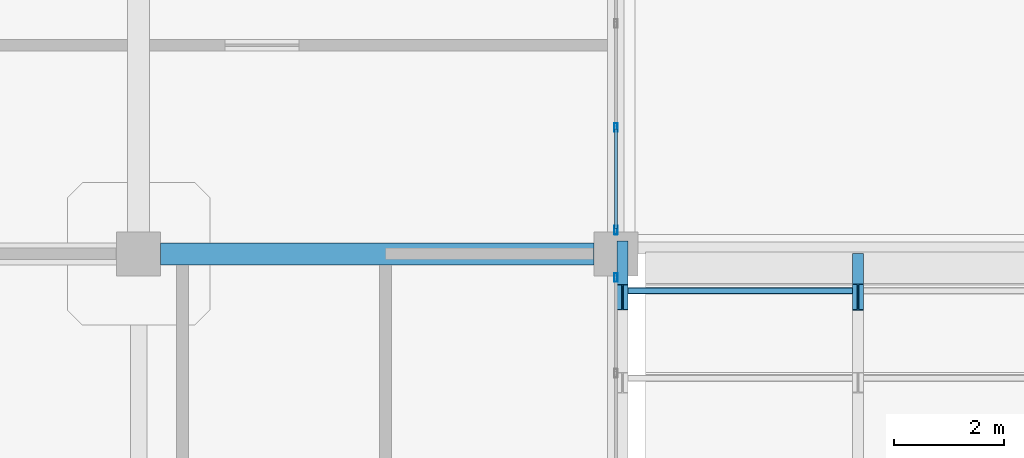
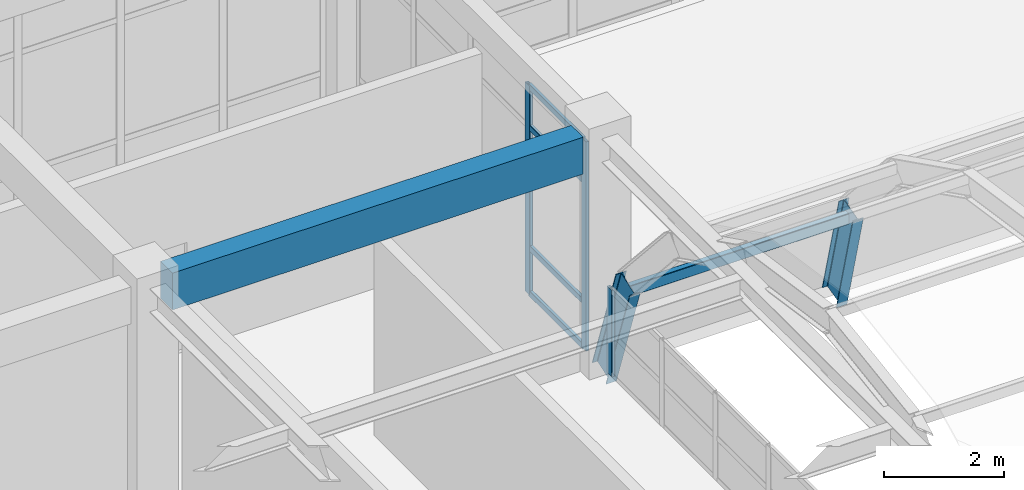
# One storey, part 55 of 124: 8 members, 3 beams, 2 elements without a shape of their own.
"""IFC4 building model written with IfcOpenShell, lengths in metres."""

from ifc_helpers import new_model, si_unit, derived_unit, direction, frame, origin, origin_2d, place, context, subcontext, project, spatial, rectangle, hollow_rectangle, i_section, extrude, material, layer, layer_set, material_profile, profile_set, type_object, element, aggregate, save


model = new_model("IFC4")

# Units and contexts
model_context = context("Model", 3, precision=1e-05, world=origin(), true_north=direction((0.0, 1.0)))
body_context = subcontext(model_context, "Body", "Model", "MODEL_VIEW")
ifc_project = project(units=[si_unit("LENGTHUNIT", "METRE"), si_unit("AREAUNIT", "SQUARE_METRE"), si_unit("VOLUMEUNIT", "CUBIC_METRE"), si_unit("PLANEANGLEUNIT", "RADIAN"), si_unit("MASSUNIT", "GRAM", prefix="KILO"), derived_unit("THERMALTRANSMITTANCEUNIT", [(si_unit("MASSUNIT", "GRAM", prefix="KILO"), 1), (si_unit("TIMEUNIT", "SECOND"), -3), (si_unit("THERMODYNAMICTEMPERATUREUNIT", "KELVIN"), -1)])], contexts=[model_context])

# Site, building, storey
site_placement = place(None, origin())
site = spatial("IfcSite", under=ifc_project, at=site_placement, CompositionType="ELEMENT")
building_placement = place(site_placement, origin())
building = spatial("IfcBuilding", under=site, at=building_placement, Name="Qinzheling Arcade Emporium", CompositionType="ELEMENT")
storey_placement = place(building_placement, frame((0.0, 0.0, 16.5)))
storey = spatial("IfcBuildingStorey", under=building, at=storey_placement, Name="L04", CompositionType="ELEMENT", Elevation=16.5)

# Beams
ifc_material_1 = material(Name="Weathering steel Q355NH", Category="steel")
ifc_material_profile_1 = material_profile(ifc_material_1, i_section(OverallWidth=0.199951171875, OverallDepth=0.5, WebThickness=0.010009765625, FlangeThickness=0.01611328125, FilletRadius=0.01806640625, at=origin_2d()), Name="HN 500x200x10x16", Category="steel")
ifc_profile_set_1 = profile_set([ifc_material_profile_1], Name="Weathering steel Q355NH")
beam_type_1 = type_object("IfcBeamType", Name="Arcade End Arch Rib HN500 Q355NH", PredefinedType="BEAM", material=ifc_profile_set_1)
beam_1_placement = place(storey_placement, frame((104.52001953125, 64.60888671875, 2.02392578125), z_axis=(0.0, 0.328552089369, -0.94448585197), x_axis=(-1.0, 0.0, 0.0)))
element("IfcBeam", 1, at=beam_1_placement, inside=storey, type_object=beam_type_1, Name="Arcade Arch Rib VLT-ARCADE-RIB-01-S08", PredefinedType="BEAM", context=body_context, shape_type="SweptSolid", body=[
    extrude(i_section(OverallWidth=0.199951171875, OverallDepth=0.5, WebThickness=0.010009765625, FlangeThickness=0.01611328125, FilletRadius=0.01806640625, at=origin_2d()), origin(), (0.0, 0.0, 1.0), 2.407470703125),
])
beam_2_placement = place(storey_placement, frame((108.81005859375, 64.611083984375, 2.02490234375), z_axis=(0.0, 0.254114916453, -0.967174032549), x_axis=(-1.0, 0.0, 0.0)))
element("IfcBeam", 2, at=beam_2_placement, inside=storey, type_object=beam_type_1, Name="Arcade Sub-Rib VLT-ARCADE-SRIB-B01-S08", PredefinedType="BEAM", context=body_context, shape_type="SweptSolid", body=[
    extrude(i_section(OverallWidth=0.199951171875, OverallDepth=0.5, WebThickness=0.010009765625, FlangeThickness=0.01611328125, FilletRadius=0.01806640625, at=origin_2d()), origin(), (0.0, 0.0, 1.0), 2.15966796875),
])

# Member
ifc_material_profile_2 = material_profile(ifc_material_1, hollow_rectangle(XDim=0.1201171875, YDim=0.219970703125, WallThickness=0.008056640625, InnerFilletRadius=0.008056640625, OuterFilletRadius=0.01611328125, at=origin_2d()), Name="RHS 220x120x8", Category="steel")
ifc_profile_set_2 = profile_set([ifc_material_profile_2], Name="Weathering steel Q355NH")
member_type_1 = type_object("IfcMemberType", Name="Arcade Skylight Purlin RHS220 Q355NH", PredefinedType="PURLIN", material=ifc_profile_set_2)
member_1_placement = place(storey_placement, frame((104.52001953125, 64.72607421875, 1.7958984375), z_axis=(1.0, 0.0, 0.0), x_axis=(0.0, 1.0, 0.0)))
element("IfcMember", 3, at=member_1_placement, inside=storey, type_object=member_type_1, Name="Arcade Skylight Purlin VLT-ARCADE-PUR-B01-N07-1", PredefinedType="PURLIN", context=body_context, shape_type="SweptSolid", body=[
    extrude(hollow_rectangle(XDim=0.1201171875, YDim=0.219970703125, WallThickness=0.008056640625, InnerFilletRadius=0.008056640625, OuterFilletRadius=0.01611328125, at=origin_2d()), origin(), (0.0, 0.0, 1.0), 4.2900390625),
])

# Curtain wall, members
ifc_material_2 = material(Name="Anodised aluminium and solar-control double glazing", Category="aluminium")
ifc_layer = layer(ifc_material_2, 0.159912109375, Name="Anodised aluminium and solar-control double glazing", Category="aluminium")
ifc_layer_set = layer_set([ifc_layer], Name="Anodised aluminium and solar-control double glazing")
curtain_wall_type = type_object("IfcCurtainWallType", Name="Atrium Clerestory Curtain Wall", PredefinedType="NOTDEFINED", material=ifc_layer_set)
curtain_wall_1_placement = place(storey_placement, origin())
curtain_wall_1 = element("IfcCurtainWall", 4, at=curtain_wall_1_placement, inside=storey, type_object=curtain_wall_type, Name="Curtain Wall CW-L04-250", PredefinedType="NOTDEFINED")
ifc_material_3 = material(Name="Anodised aluminium 6063-T6", Category="aluminium")
ifc_material_profile_3 = material_profile(ifc_material_3, hollow_rectangle(XDim=0.06005859375, YDim=0.159912109375, WallThickness=0.00390625, InnerFilletRadius=0.00390625, OuterFilletRadius=0.008056640625, at=origin_2d()), Name="RHS 160x60x4", Category="aluminium")
ifc_profile_set_3 = profile_set([ifc_material_profile_3], Name="Anodised aluminium 6063-T6")
member_type_2 = type_object("IfcMemberType", Name="Curtain Wall Mullion RHS160x60", PredefinedType="MULLION", material=ifc_profile_set_3)
member_2_placement = place(storey_placement, frame((104.39990234375, 67.700927734375, 0.0), z_axis=(0.0, 0.0, 1.0), x_axis=(1.0, 0.0, 0.0)))
member_2 = element("IfcMember", 5, at=member_2_placement, type_object=member_type_2, Name="CW03 mullion 4", PredefinedType="MULLION", context=body_context, shape_type="SweptSolid", body=[
    extrude(hollow_rectangle(XDim=0.06005859375, YDim=0.159912109375, WallThickness=0.00390625, InnerFilletRadius=0.00390625, OuterFilletRadius=0.008056640625, at=origin_2d()), origin(), (0.0, 0.0, 1.0), 4.2548828125),
])
member_3_placement = place(storey_placement, frame((104.39990234375, 65.83203125, 0.0), z_axis=(0.0, 0.0, 1.0), x_axis=(1.0, 0.0, 0.0)))
member_3 = element("IfcMember", 6, at=member_3_placement, type_object=member_type_2, Name="CW03 mullion 5", PredefinedType="MULLION", context=body_context, shape_type="SweptSolid", body=[
    extrude(hollow_rectangle(XDim=0.06005859375, YDim=0.159912109375, WallThickness=0.00390625, InnerFilletRadius=0.00390625, OuterFilletRadius=0.008056640625, at=origin_2d()), origin(), (0.0, 0.0, 1.0), 4.2548828125),
])

# Curtain wall, member
curtain_wall_2_placement = place(storey_placement, origin())
curtain_wall_2 = element("IfcCurtainWall", 7, at=curtain_wall_2_placement, inside=storey, type_object=curtain_wall_type, Name="Curtain Wall CW-L04-251", PredefinedType="NOTDEFINED")
member_4_placement = place(storey_placement, frame((104.39990234375, 64.968017578125, 0.0), z_axis=(0.0, 0.0, 1.0), x_axis=(1.0, 0.0, 0.0)))
member_4 = element("IfcMember", 8, at=member_4_placement, type_object=member_type_2, Name="CW03 mullion 1", PredefinedType="MULLION", context=body_context, shape_type="SweptSolid", body=[
    extrude(hollow_rectangle(XDim=0.06005859375, YDim=0.159912109375, WallThickness=0.00390625, InnerFilletRadius=0.00390625, OuterFilletRadius=0.008056640625, at=origin_2d()), origin(), (0.0, 0.0, 1.0), 1.759033203125),
])
aggregate(curtain_wall_2, [member_4])

# Member
ifc_material_profile_4 = material_profile(ifc_material_3, hollow_rectangle(XDim=0.06005859375, YDim=0.1201171875, WallThickness=0.00390625, InnerFilletRadius=0.00390625, OuterFilletRadius=0.008056640625, at=origin_2d()), Name="RHS 120x60x4", Category="aluminium")
ifc_profile_set_4 = profile_set([ifc_material_profile_4], Name="Anodised aluminium 6063-T6")
member_type_3 = type_object("IfcMemberType", Name="Curtain Wall Transom RHS120x60", PredefinedType="USERDEFINED", material=ifc_profile_set_4)
member_5_placement = place(storey_placement, frame((104.39990234375, 67.6708984375, 0.030029296875), z_axis=(0.0, -1.0, 0.0), x_axis=(1.0, 0.0, 0.0)))
member_5 = element("IfcMember", 9, at=member_5_placement, type_object=member_type_3, Name="CW03 transom 4.1", ObjectType="TRANSOM", PredefinedType="USERDEFINED", context=body_context, shape_type="SweptSolid", body=[
    extrude(hollow_rectangle(XDim=0.06005859375, YDim=0.1201171875, WallThickness=0.00390625, InnerFilletRadius=0.00390625, OuterFilletRadius=0.008056640625, at=origin_2d()), origin(), (0.0, 0.0, 1.0), 1.808837890625),
])

member_6_placement = place(storey_placement, frame((104.39990234375, 67.6708984375, 0.949951171875), z_axis=(0.0, -1.0, 0.0), x_axis=(1.0, 0.0, 0.0)))
member_6 = element("IfcMember", 10, at=member_6_placement, type_object=member_type_3, Name="CW03 transom 4.2", ObjectType="TRANSOM", PredefinedType="USERDEFINED", context=body_context, shape_type="SweptSolid", body=[
    extrude(hollow_rectangle(XDim=0.06005859375, YDim=0.1201171875, WallThickness=0.00390625, InnerFilletRadius=0.00390625, OuterFilletRadius=0.008056640625, at=origin_2d()), origin(), (0.0, 0.0, 1.0), 1.808837890625),
])

member_7_placement = place(storey_placement, frame((104.39990234375, 67.6708984375, 3.405029296875), z_axis=(0.0, -1.0, 0.0), x_axis=(1.0, 0.0, 0.0)))
member_7 = element("IfcMember", 11, at=member_7_placement, type_object=member_type_3, Name="CW03 transom 4.3", ObjectType="TRANSOM", PredefinedType="USERDEFINED", context=body_context, shape_type="SweptSolid", body=[
    extrude(hollow_rectangle(XDim=0.06005859375, YDim=0.1201171875, WallThickness=0.00390625, InnerFilletRadius=0.00390625, OuterFilletRadius=0.008056640625, at=origin_2d()), origin(), (0.0, 0.0, 1.0), 1.808837890625),
])

member_8_placement = place(storey_placement, frame((104.39990234375, 67.6708984375, 4.22509765625), z_axis=(0.0, -1.0, 0.0), x_axis=(1.0, 0.0, 0.0)))
member_8 = element("IfcMember", 12, at=member_8_placement, type_object=member_type_3, Name="CW03 transom 4.4", ObjectType="TRANSOM", PredefinedType="USERDEFINED", context=body_context, shape_type="SweptSolid", body=[
    extrude(hollow_rectangle(XDim=0.06005859375, YDim=0.1201171875, WallThickness=0.00390625, InnerFilletRadius=0.00390625, OuterFilletRadius=0.008056640625, at=origin_2d()), origin(), (0.0, 0.0, 1.0), 1.808837890625),
])

aggregate(curtain_wall_1, [member_2, member_3, member_5, member_6, member_7, member_8])

# Beam
ifc_material_4 = material(Name="Concrete C40", Category="concrete")
ifc_material_profile_5 = material_profile(ifc_material_4, rectangle(XDim=0.39990234375, YDim=0.75, at=origin_2d()), Name="RC 400x750", Category="concrete")
ifc_profile_set_5 = profile_set([ifc_material_profile_5], Name="Concrete C40")
beam_type_2 = type_object("IfcBeamType", Name="RC Interior Tie Beam 400x750 C40", PredefinedType="BEAM", material=ifc_profile_set_5)
beam_3_placement = place(storey_placement, frame((96.10009765625, 65.39990234375, 4.445068359375), z_axis=(1.0, 0.0, 0.0), x_axis=(0.0, 1.0, 0.0)))
element("IfcBeam", 13, at=beam_3_placement, inside=storey, type_object=beam_type_2, Name="Beam BM-L04-X-H-12", PredefinedType="BEAM", context=body_context, shape_type="SweptSolid", body=[
    extrude(rectangle(XDim=0.39990234375, YDim=0.75, at=origin_2d()), origin(), (0.0, 0.0, 1.0), 7.89990234375),
])

save(model, "model.ifc")
